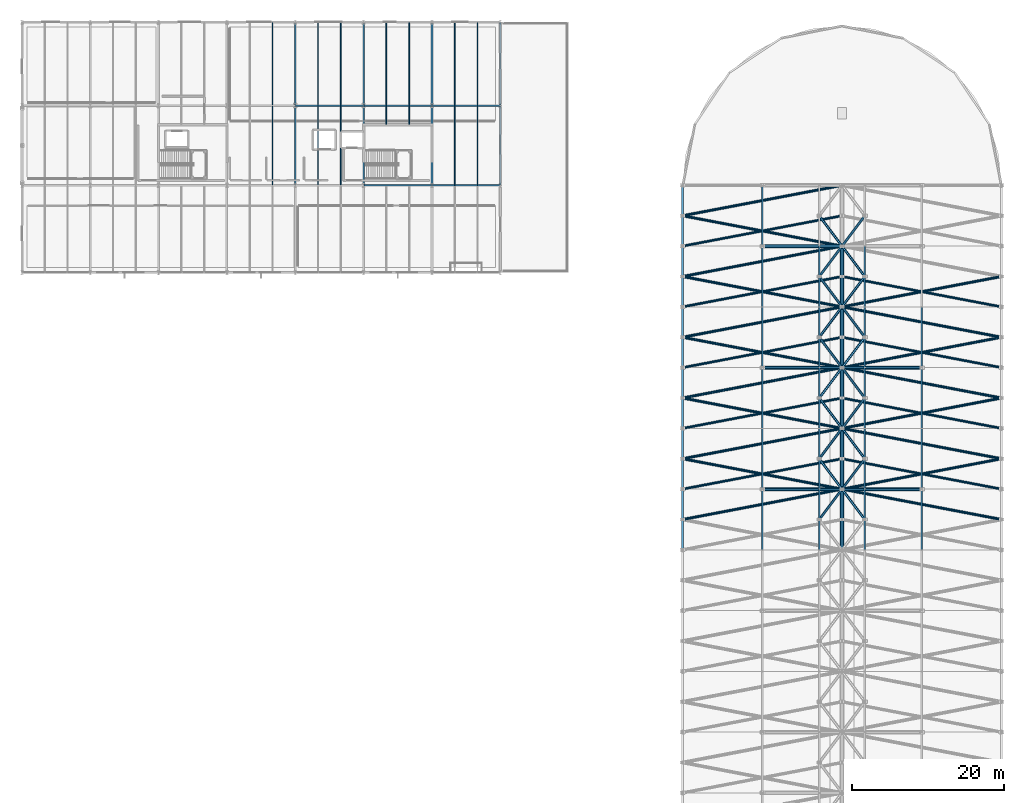
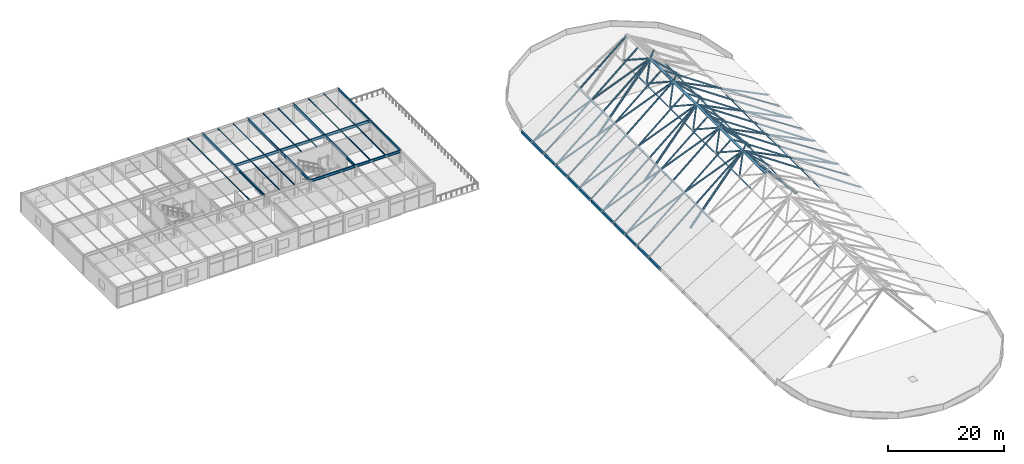
# One storey, part 13 of 44: 78 members, 33 beams.
"""IFC4 building model written with IfcOpenShell, lengths in metres."""

from ifc_helpers import new_model, si_unit, direction, frame, origin, origin_2d, place, context, subcontext, project, spatial, hollow_rectangle, hollow_circle, i_section, extrude, material, material_profile, profile_set, type_object, element, save


model = new_model("IFC4")

# Units and contexts
model_context = context("Model", 3, precision=1e-05, world=origin(), true_north=direction((0.0, 1.0)))
body_context = subcontext(model_context, "Body", "Model", "MODEL_VIEW")
ifc_project = project(units=[si_unit("LENGTHUNIT", "METRE"), si_unit("AREAUNIT", "SQUARE_METRE"), si_unit("VOLUMEUNIT", "CUBIC_METRE"), si_unit("PLANEANGLEUNIT", "RADIAN"), si_unit("MASSUNIT", "GRAM", prefix="KILO")], contexts=[model_context])

# Site, building, storey
site_placement = place(None, origin())
site = spatial("IfcSite", under=ifc_project, at=site_placement, CompositionType="ELEMENT")
building_placement = place(site_placement, origin())
building = spatial("IfcBuilding", under=site, at=building_placement, Name="Marlcrest Central Station", CompositionType="ELEMENT")
storey_placement = place(building_placement, frame((0.0, 0.0, 19.5)))
storey = spatial("IfcBuildingStorey", under=building, at=storey_placement, Name="L04", CompositionType="ELEMENT", Elevation=19.5)

# Beams
ifc_material_1 = material(Name="Steel S355", Category="steel")
ifc_material_profile_1 = material_profile(ifc_material_1, i_section(OverallWidth=0.2099609375, OverallDepth=0.550048828125, WebThickness=0.010986328125, FlangeThickness=0.01708984375, FilletRadius=0.02392578125, at=origin_2d()), Name="IPE 550")
ifc_profile_set_1 = profile_set([ifc_material_profile_1], Name="Steel S355")
beam_type_1 = type_object("IfcBeamType", Name="BM-06", PredefinedType="BEAM", material=ifc_profile_set_1)
for number, where, z_axis, x_axis, name in (
    (1, (45.050048828125, 110.5, 4.0), (1.0, 0.0, 0.0), (0.0, 1.0, 0.0), "bm-BM-06-L04-00587"),
    (2, (54.050048828125, 110.5, 4.0), (1.0, 0.0, 0.0), (0.0, 1.0, 0.0), "bm-BM-06-L04-00588"),
    (3, (36.050048828125, 121.0, 4.0), (1.0, 0.0, 0.0), (0.0, 1.0, 0.0), "bm-BM-06-L04-00593"),
    (4, (45.050048828125, 121.0, 4.0), (1.0, 0.0, 0.0), (0.0, 1.0, 0.0), "bm-BM-06-L04-00594"),
    (5, (54.050048828125, 121.0, 4.0), (1.0, 0.0, 0.0), (0.0, 1.0, 0.0), "bm-BM-06-L04-00595"),
):
    element("IfcBeam", number, at=place(storey_placement, frame(where, z_axis=z_axis, x_axis=x_axis)), inside=storey, type_object=beam_type_1, Name=name, PredefinedType="BEAM", context=body_context, shape_type="SweptSolid", body=[
        extrude(i_section(OverallWidth=0.2099609375, OverallDepth=0.550048828125, WebThickness=0.010986328125, FlangeThickness=0.01708984375, FilletRadius=0.02392578125, at=origin_2d()), origin(), (0.0, 0.0, 1.0), 8.89990234375),
    ])
beam_1_placement = place(storey_placement, frame((36.0, 110.550048828125, 4.0), z_axis=(0.0, 1.0, 0.0), x_axis=(-1.0, 0.0, 0.0)))
element("IfcBeam", 6, at=beam_1_placement, inside=storey, type_object=beam_type_1, Name="bm-BM-06-L04-00616", PredefinedType="BEAM", context=body_context, shape_type="SweptSolid", body=[
    extrude(i_section(OverallWidth=0.2099609375, OverallDepth=0.550048828125, WebThickness=0.010986328125, FlangeThickness=0.01708984375, FilletRadius=0.02392578125, at=origin_2d()), origin(), (0.0, 0.0, 1.0), 10.39990234375),
])
beam_2_placement = place(storey_placement, frame((36.0, 121.050048828125, 4.0), z_axis=(0.0, 1.0, 0.0), x_axis=(-1.0, 0.0, 0.0)))
element("IfcBeam", 7, at=beam_2_placement, inside=storey, type_object=beam_type_1, Name="bm-BM-06-L04-00617", PredefinedType="BEAM", context=body_context, shape_type="SweptSolid", body=[
    extrude(i_section(OverallWidth=0.2099609375, OverallDepth=0.550048828125, WebThickness=0.010986328125, FlangeThickness=0.01708984375, FilletRadius=0.02392578125, at=origin_2d()), origin(), (0.0, 0.0, 1.0), 10.89990234375),
])
beam_3_placement = place(storey_placement, frame((45.0, 110.550048828125, 4.0), z_axis=(0.0, 1.0, 0.0), x_axis=(-1.0, 0.0, 0.0)))
element("IfcBeam", 8, at=beam_3_placement, inside=storey, type_object=beam_type_1, Name="bm-BM-06-L04-00619", PredefinedType="BEAM", context=body_context, shape_type="SweptSolid", body=[
    extrude(i_section(OverallWidth=0.2099609375, OverallDepth=0.550048828125, WebThickness=0.010986328125, FlangeThickness=0.01708984375, FilletRadius=0.02392578125, at=origin_2d()), origin(), (0.0, 0.0, 1.0), 10.39990234375),
])
beam_4_placement = place(storey_placement, frame((45.0, 121.050048828125, 4.0), z_axis=(0.0, 1.0, 0.0), x_axis=(-1.0, 0.0, 0.0)))
element("IfcBeam", 9, at=beam_4_placement, inside=storey, type_object=beam_type_1, Name="bm-BM-06-L04-00620", PredefinedType="BEAM", context=body_context, shape_type="SweptSolid", body=[
    extrude(i_section(OverallWidth=0.2099609375, OverallDepth=0.550048828125, WebThickness=0.010986328125, FlangeThickness=0.01708984375, FilletRadius=0.02392578125, at=origin_2d()), origin(), (0.0, 0.0, 1.0), 10.89990234375),
])
beam_5_placement = place(storey_placement, frame((54.0, 110.550048828125, 4.0), z_axis=(0.0, 1.0, 0.0), x_axis=(-1.0, 0.0, 0.0)))
element("IfcBeam", 10, at=beam_5_placement, inside=storey, type_object=beam_type_1, Name="bm-BM-06-L04-00622", PredefinedType="BEAM", context=body_context, shape_type="SweptSolid", body=[
    extrude(i_section(OverallWidth=0.2099609375, OverallDepth=0.550048828125, WebThickness=0.010986328125, FlangeThickness=0.01708984375, FilletRadius=0.02392578125, at=origin_2d()), origin(), (0.0, 0.0, 1.0), 10.39990234375),
])
beam_6_placement = place(storey_placement, frame((54.0, 121.050048828125, 4.0), z_axis=(0.0, 1.0, 0.0), x_axis=(-1.0, 0.0, 0.0)))
element("IfcBeam", 11, at=beam_6_placement, inside=storey, type_object=beam_type_1, Name="bm-BM-06-L04-00623", PredefinedType="BEAM", context=body_context, shape_type="SweptSolid", body=[
    extrude(i_section(OverallWidth=0.2099609375, OverallDepth=0.550048828125, WebThickness=0.010986328125, FlangeThickness=0.01708984375, FilletRadius=0.02392578125, at=origin_2d()), origin(), (0.0, 0.0, 1.0), 10.89990234375),
])

# Members
ifc_material_2 = material(Name="White intumescent Steel S355", Category="steel")
ifc_material_profile_2 = material_profile(ifc_material_2, hollow_circle(Radius=0.177734375, WallThickness=0.01611328125, at=origin_2d()), Name="CHS 355.6x16")
ifc_profile_set_2 = profile_set([ifc_material_profile_2], Name="White intumescent Steel S355")
member_type_1 = type_object("IfcMemberType", Name="FB-01", PredefinedType="RAFTER", material=ifc_profile_set_2)
for number, where, z_axis, x_axis, name in (
    (12, (108.0, 70.5, 12.60009765625), (-0.846277296716, -0.161195675565, -0.507770313471), (0.18711210789, -0.982338566422, 0.0), "mem-FB-01-L04-02463"),
    (13, (108.0, 70.5, 12.60009765625), (0.846277296716, -0.161195675565, -0.507770313471), (0.18711210789, 0.982338566422, 0.0), "mem-FB-01-L04-02467"),
    (14, (108.0, 70.5, 12.60009765625), (-0.846277296716, 0.161195675565, -0.507770313471), (-0.18711210789, -0.982338566422, 0.0), "mem-FB-01-L04-02477"),
    (15, (108.0, 78.5, 12.60009765625), (-0.846277296716, -0.161195675565, -0.507770313471), (0.18711210789, -0.982338566422, 0.0), "mem-FB-01-L04-02478"),
    (16, (108.0, 70.5, 12.60009765625), (0.846277296716, 0.161195675565, -0.507770313471), (-0.18711210789, 0.982338566422, 0.0), "mem-FB-01-L04-02481"),
    (17, (108.0, 78.5, 12.60009765625), (0.846277296716, -0.161195675565, -0.507770313471), (0.18711210789, 0.982338566422, 0.0), "mem-FB-01-L04-02482"),
    (18, (108.0, 78.5, 12.60009765625), (-0.846277296716, 0.161195675565, -0.507770313471), (-0.18711210789, -0.982338566422, 0.0), "mem-FB-01-L04-02492"),
    (19, (108.0, 86.5, 12.60009765625), (-0.846277296716, -0.161195675565, -0.507770313471), (0.18711210789, -0.982338566422, 0.0), "mem-FB-01-L04-02493"),
    (20, (108.0, 78.5, 12.60009765625), (0.846277296716, 0.161195675565, -0.507770313471), (-0.18711210789, 0.982338566422, 0.0), "mem-FB-01-L04-02496"),
    (21, (108.0, 86.5, 12.60009765625), (0.846277296716, -0.161195675565, -0.507770313471), (0.18711210789, 0.982338566422, 0.0), "mem-FB-01-L04-02497"),
    (22, (108.0, 86.5, 12.60009765625), (-0.846277296716, 0.161195675565, -0.507770313471), (-0.18711210789, -0.982338566422, 0.0), "mem-FB-01-L04-02507"),
    (23, (108.0, 94.5, 12.60009765625), (-0.846277296716, -0.161195675565, -0.507770313471), (0.18711210789, -0.982338566422, 0.0), "mem-FB-01-L04-02508"),
    (24, (108.0, 86.5, 12.60009765625), (0.846277296716, 0.161195675565, -0.507770313471), (-0.18711210789, 0.982338566422, 0.0), "mem-FB-01-L04-02511"),
    (25, (108.0, 94.5, 12.60009765625), (0.846277296716, -0.161195675565, -0.507770313471), (0.18711210789, 0.982338566422, 0.0), "mem-FB-01-L04-02512"),
    (26, (108.0, 94.5, 12.60009765625), (-0.846277296716, 0.161195675565, -0.507770313471), (-0.18711210789, -0.982338566422, 0.0), "mem-FB-01-L04-02522"),
    (27, (108.0, 102.5, 12.60009765625), (-0.846277296716, -0.161195675565, -0.507770313471), (0.18711210789, -0.982338566422, 0.0), "mem-FB-01-L04-02523"),
    (28, (108.0, 94.5, 12.60009765625), (0.846277296716, 0.161195675565, -0.507770313471), (-0.18711210789, 0.982338566422, 0.0), "mem-FB-01-L04-02526"),
    (29, (108.0, 102.5, 12.60009765625), (-0.846277296716, 0.161195675565, -0.507770313471), (-0.18711210789, -0.982338566422, 0.0), "mem-FB-01-L04-02537"),
    (30, (108.0, 110.5, 12.60009765625), (-0.846277296716, -0.161195675565, -0.507770313471), (0.18711210789, -0.982338566422, 0.0), "mem-FB-01-L04-02538"),
):
    element("IfcMember", number, at=place(storey_placement, frame(where, z_axis=z_axis, x_axis=x_axis)), inside=storey, type_object=member_type_1, Name=name, PredefinedType="RAFTER", context=body_context, shape_type="SweptSolid", body=[
        extrude(hollow_circle(Radius=0.177734375, WallThickness=0.01611328125, at=origin_2d()), origin(), (0.0, 0.0, 1.0), 24.814453125),
    ])
ifc_material_profile_3 = material_profile(ifc_material_2, hollow_circle(Radius=0.161865234375, WallThickness=0.01611328125, at=origin_2d()), Name="CHS 323.9x16")
ifc_profile_set_3 = profile_set([ifc_material_profile_3], Name="White intumescent Steel S355")
member_type_2 = type_object("IfcMemberType", Name="FB-02", PredefinedType="RAFTER", material=ifc_profile_set_3)
for number, where, z_axis, x_axis, name in (
    (31, (108.0, 70.5, 12.60009765625), (-0.564530690126, -0.752707586834, -0.338727602401), (0.8, -0.6, 0.0), "mem-FB-02-L04-02458"),
    (32, (108.0, 70.5, 12.60009765625), (0.564530690126, -0.752707586834, -0.338727602401), (0.8, 0.6, 0.0), "mem-FB-02-L04-02461"),
    (33, (108.0, 70.5, 12.60009765625), (-0.564530690126, 0.752707586834, -0.338727602401), (-0.8, -0.6, 0.0), "mem-FB-02-L04-02472"),
    (34, (108.0, 78.5, 12.60009765625), (-0.564530690126, -0.752707586834, -0.338727602401), (0.8, -0.6, 0.0), "mem-FB-02-L04-02473"),
    (35, (108.0, 70.5, 12.60009765625), (0.564530690126, 0.752707586834, -0.338727602401), (-0.8, 0.6, 0.0), "mem-FB-02-L04-02475"),
    (36, (108.0, 78.5, 12.60009765625), (0.564530690126, -0.752707586834, -0.338727602401), (0.8, 0.6, 0.0), "mem-FB-02-L04-02476"),
):
    element("IfcMember", number, at=place(storey_placement, frame(where, z_axis=z_axis, x_axis=x_axis)), inside=storey, type_object=member_type_2, Name=name, PredefinedType="RAFTER", context=body_context, shape_type="SweptSolid", body=[
        extrude(hollow_circle(Radius=0.161865234375, WallThickness=0.01611328125, at=origin_2d()), origin(), (0.0, 0.0, 1.0), 5.314208984375),
    ])
for number, where, z_axis, x_axis, name in (
    (37, (108.0, 74.5, 12.60009765625), (-0.846277296716, -0.161195675565, -0.507770313471), (0.18711210789, -0.982338566422, 0.0), "mem-FB-02-L04-02479"),
    (38, (108.0, 74.5, 12.60009765625), (0.846277296716, -0.161195675565, -0.507770313471), (0.18711210789, 0.982338566422, 0.0), "mem-FB-02-L04-02483"),
):
    element("IfcMember", number, at=place(storey_placement, frame(where, z_axis=z_axis, x_axis=x_axis)), inside=storey, type_object=member_type_2, Name=name, PredefinedType="RAFTER", context=body_context, shape_type="SweptSolid", body=[
        extrude(hollow_circle(Radius=0.161865234375, WallThickness=0.01611328125, at=origin_2d()), origin(), (0.0, 0.0, 1.0), 24.814453125),
    ])
for number, where, z_axis, x_axis, name in (
    (39, (108.0, 78.5, 12.60009765625), (-0.564530690126, 0.752707586834, -0.338727602401), (-0.8, -0.6, 0.0), "mem-FB-02-L04-02487"),
    (40, (108.0, 86.5, 12.60009765625), (-0.564530690126, -0.752707586834, -0.338727602401), (0.8, -0.6, 0.0), "mem-FB-02-L04-02488"),
    (41, (108.0, 78.5, 12.60009765625), (0.564530690126, 0.752707586834, -0.338727602401), (-0.8, 0.6, 0.0), "mem-FB-02-L04-02490"),
    (42, (108.0, 86.5, 12.60009765625), (0.564530690126, -0.752707586834, -0.338727602401), (0.8, 0.6, 0.0), "mem-FB-02-L04-02491"),
):
    element("IfcMember", number, at=place(storey_placement, frame(where, z_axis=z_axis, x_axis=x_axis)), inside=storey, type_object=member_type_2, Name=name, PredefinedType="RAFTER", context=body_context, shape_type="SweptSolid", body=[
        extrude(hollow_circle(Radius=0.161865234375, WallThickness=0.01611328125, at=origin_2d()), origin(), (0.0, 0.0, 1.0), 5.314208984375),
    ])
for number, where, z_axis, x_axis, name in (
    (43, (108.0, 82.5, 12.60009765625), (-0.846277296716, -0.161195675565, -0.507770313471), (0.18711210789, -0.982338566422, 0.0), "mem-FB-02-L04-02494"),
    (44, (108.0, 82.5, 12.60009765625), (0.846277296716, -0.161195675565, -0.507770313471), (0.18711210789, 0.982338566422, 0.0), "mem-FB-02-L04-02498"),
):
    element("IfcMember", number, at=place(storey_placement, frame(where, z_axis=z_axis, x_axis=x_axis)), inside=storey, type_object=member_type_2, Name=name, PredefinedType="RAFTER", context=body_context, shape_type="SweptSolid", body=[
        extrude(hollow_circle(Radius=0.161865234375, WallThickness=0.01611328125, at=origin_2d()), origin(), (0.0, 0.0, 1.0), 24.814453125),
    ])
for number, where, z_axis, x_axis, name in (
    (45, (108.0, 86.5, 12.60009765625), (-0.564530690126, 0.752707586834, -0.338727602401), (-0.8, -0.6, 0.0), "mem-FB-02-L04-02502"),
    (46, (108.0, 94.5, 12.60009765625), (-0.564530690126, -0.752707586834, -0.338727602401), (0.8, -0.6, 0.0), "mem-FB-02-L04-02503"),
    (47, (108.0, 86.5, 12.60009765625), (0.564530690126, 0.752707586834, -0.338727602401), (-0.8, 0.6, 0.0), "mem-FB-02-L04-02505"),
    (48, (108.0, 94.5, 12.60009765625), (0.564530690126, -0.752707586834, -0.338727602401), (0.8, 0.6, 0.0), "mem-FB-02-L04-02506"),
):
    element("IfcMember", number, at=place(storey_placement, frame(where, z_axis=z_axis, x_axis=x_axis)), inside=storey, type_object=member_type_2, Name=name, PredefinedType="RAFTER", context=body_context, shape_type="SweptSolid", body=[
        extrude(hollow_circle(Radius=0.161865234375, WallThickness=0.01611328125, at=origin_2d()), origin(), (0.0, 0.0, 1.0), 5.314208984375),
    ])
for number, where, z_axis, x_axis, name in (
    (49, (108.0, 90.5, 12.60009765625), (-0.846277296716, -0.161195675565, -0.507770313471), (0.18711210789, -0.982338566422, 0.0), "mem-FB-02-L04-02509"),
    (50, (108.0, 90.5, 12.60009765625), (0.846277296716, -0.161195675565, -0.507770313471), (0.18711210789, 0.982338566422, 0.0), "mem-FB-02-L04-02513"),
):
    element("IfcMember", number, at=place(storey_placement, frame(where, z_axis=z_axis, x_axis=x_axis)), inside=storey, type_object=member_type_2, Name=name, PredefinedType="RAFTER", context=body_context, shape_type="SweptSolid", body=[
        extrude(hollow_circle(Radius=0.161865234375, WallThickness=0.01611328125, at=origin_2d()), origin(), (0.0, 0.0, 1.0), 24.814453125),
    ])
for number, where, z_axis, x_axis, name in (
    (51, (108.0, 94.5, 12.60009765625), (-0.564530690126, 0.752707586834, -0.338727602401), (-0.8, -0.6, 0.0), "mem-FB-02-L04-02517"),
    (52, (108.0, 102.5, 12.60009765625), (-0.564530690126, -0.752707586834, -0.338727602401), (0.8, -0.6, 0.0), "mem-FB-02-L04-02518"),
    (53, (108.0, 94.5, 12.60009765625), (0.564530690126, 0.752707586834, -0.338727602401), (-0.8, 0.6, 0.0), "mem-FB-02-L04-02520"),
    (54, (108.0, 102.5, 12.60009765625), (0.564530690126, -0.752707586834, -0.338727602401), (0.8, 0.6, 0.0), "mem-FB-02-L04-02521"),
):
    element("IfcMember", number, at=place(storey_placement, frame(where, z_axis=z_axis, x_axis=x_axis)), inside=storey, type_object=member_type_2, Name=name, PredefinedType="RAFTER", context=body_context, shape_type="SweptSolid", body=[
        extrude(hollow_circle(Radius=0.161865234375, WallThickness=0.01611328125, at=origin_2d()), origin(), (0.0, 0.0, 1.0), 5.314208984375),
    ])
for number, where, z_axis, x_axis, name in (
    (55, (108.0, 98.5, 12.60009765625), (-0.846277296716, -0.161195675565, -0.507770313471), (0.18711210789, -0.982338566422, 0.0), "mem-FB-02-L04-02524"),
    (56, (108.0, 98.5, 12.60009765625), (0.846277296716, -0.161195675565, -0.507770313471), (0.18711210789, 0.982338566422, 0.0), "mem-FB-02-L04-02528"),
):
    element("IfcMember", number, at=place(storey_placement, frame(where, z_axis=z_axis, x_axis=x_axis)), inside=storey, type_object=member_type_2, Name=name, PredefinedType="RAFTER", context=body_context, shape_type="SweptSolid", body=[
        extrude(hollow_circle(Radius=0.161865234375, WallThickness=0.01611328125, at=origin_2d()), origin(), (0.0, 0.0, 1.0), 24.814453125),
    ])
for number, where, z_axis, x_axis, name in (
    (57, (108.0, 102.5, 12.60009765625), (-0.564530690126, 0.752707586834, -0.338727602401), (-0.8, -0.6, 0.0), "mem-FB-02-L04-02532"),
    (58, (108.0, 102.5, 12.60009765625), (0.564530690126, 0.752707586834, -0.338727602401), (-0.8, 0.6, 0.0), "mem-FB-02-L04-02535"),
):
    element("IfcMember", number, at=place(storey_placement, frame(where, z_axis=z_axis, x_axis=x_axis)), inside=storey, type_object=member_type_2, Name=name, PredefinedType="RAFTER", context=body_context, shape_type="SweptSolid", body=[
        extrude(hollow_circle(Radius=0.161865234375, WallThickness=0.01611328125, at=origin_2d()), origin(), (0.0, 0.0, 1.0), 5.314208984375),
    ])
member_placement = place(storey_placement, frame((108.0, 106.5, 12.60009765625), z_axis=(-0.846277296716, -0.161195675565, -0.507770313471), x_axis=(0.18711210789, -0.982338566422, 0.0)))
element("IfcMember", 59, at=member_placement, inside=storey, type_object=member_type_2, Name="mem-FB-02-L04-02539", PredefinedType="RAFTER", context=body_context, shape_type="SweptSolid", body=[
    extrude(hollow_circle(Radius=0.161865234375, WallThickness=0.01611328125, at=origin_2d()), origin(), (0.0, 0.0, 1.0), 24.814453125),
])

# Beams
ifc_material_profile_4 = material_profile(ifc_material_1, i_section(OverallWidth=0.110107421875, OverallDepth=0.219970703125, WebThickness=0.005859375, FlangeThickness=0.00927734375, FilletRadius=0.011962890625, at=origin_2d()), Name="IPE 220")
ifc_profile_set_4 = profile_set([ifc_material_profile_4], Name="Steel S355")
beam_type_2 = type_object("IfcBeamType", Name="JS-02", PredefinedType="JOIST", material=ifc_profile_set_4)
beam_7_placement = place(storey_placement, frame((33.0, 110.594970703125, 4.1650390625), z_axis=(0.0, 1.0, 0.0), x_axis=(-1.0, 0.0, 0.0)))
element("IfcBeam", 60, at=beam_7_placement, inside=storey, type_object=beam_type_2, Name="bm-JS-02-L04-00649", PredefinedType="JOIST", context=body_context, shape_type="SweptSolid", body=[
    extrude(i_section(OverallWidth=0.110107421875, OverallDepth=0.219970703125, WebThickness=0.005859375, FlangeThickness=0.00927734375, FilletRadius=0.011962890625, at=origin_2d()), origin(), (0.0, 0.0, 1.0), 10.31005859375),
])
beam_8_placement = place(storey_placement, frame((33.0, 121.094970703125, 4.1650390625), z_axis=(0.0, 1.0, 0.0), x_axis=(-1.0, 0.0, 0.0)))
element("IfcBeam", 61, at=beam_8_placement, inside=storey, type_object=beam_type_2, Name="bm-JS-02-L04-00650", PredefinedType="JOIST", context=body_context, shape_type="SweptSolid", body=[
    extrude(i_section(OverallWidth=0.110107421875, OverallDepth=0.219970703125, WebThickness=0.005859375, FlangeThickness=0.00927734375, FilletRadius=0.011962890625, at=origin_2d()), origin(), (0.0, 0.0, 1.0), 10.81005859375),
])
beam_9_placement = place(storey_placement, frame((39.0, 110.594970703125, 4.1650390625), z_axis=(0.0, 1.0, 0.0), x_axis=(-1.0, 0.0, 0.0)))
element("IfcBeam", 62, at=beam_9_placement, inside=storey, type_object=beam_type_2, Name="bm-JS-02-L04-00652", PredefinedType="JOIST", context=body_context, shape_type="SweptSolid", body=[
    extrude(i_section(OverallWidth=0.110107421875, OverallDepth=0.219970703125, WebThickness=0.005859375, FlangeThickness=0.00927734375, FilletRadius=0.011962890625, at=origin_2d()), origin(), (0.0, 0.0, 1.0), 10.31005859375),
])
beam_10_placement = place(storey_placement, frame((39.0, 121.094970703125, 4.1650390625), z_axis=(0.0, 1.0, 0.0), x_axis=(-1.0, 0.0, 0.0)))
element("IfcBeam", 63, at=beam_10_placement, inside=storey, type_object=beam_type_2, Name="bm-JS-02-L04-00653", PredefinedType="JOIST", context=body_context, shape_type="SweptSolid", body=[
    extrude(i_section(OverallWidth=0.110107421875, OverallDepth=0.219970703125, WebThickness=0.005859375, FlangeThickness=0.00927734375, FilletRadius=0.011962890625, at=origin_2d()), origin(), (0.0, 0.0, 1.0), 10.81005859375),
])
beam_11_placement = place(storey_placement, frame((42.0, 110.594970703125, 4.1650390625), z_axis=(0.0, 1.0, 0.0), x_axis=(-1.0, 0.0, 0.0)))
element("IfcBeam", 64, at=beam_11_placement, inside=storey, type_object=beam_type_2, Name="bm-JS-02-L04-00655", PredefinedType="JOIST", context=body_context, shape_type="SweptSolid", body=[
    extrude(i_section(OverallWidth=0.110107421875, OverallDepth=0.219970703125, WebThickness=0.005859375, FlangeThickness=0.00927734375, FilletRadius=0.011962890625, at=origin_2d()), origin(), (0.0, 0.0, 1.0), 10.31005859375),
])
beam_12_placement = place(storey_placement, frame((42.0, 121.094970703125, 4.1650390625), z_axis=(0.0, 1.0, 0.0), x_axis=(-1.0, 0.0, 0.0)))
element("IfcBeam", 65, at=beam_12_placement, inside=storey, type_object=beam_type_2, Name="bm-JS-02-L04-00656", PredefinedType="JOIST", context=body_context, shape_type="SweptSolid", body=[
    extrude(i_section(OverallWidth=0.110107421875, OverallDepth=0.219970703125, WebThickness=0.005859375, FlangeThickness=0.00927734375, FilletRadius=0.011962890625, at=origin_2d()), origin(), (0.0, 0.0, 1.0), 10.81005859375),
])
beam_13_placement = place(storey_placement, frame((48.0, 118.52001953125, 4.1650390625), z_axis=(0.0, 1.0, 0.0), x_axis=(-1.0, 0.0, 0.0)))
element("IfcBeam", 66, at=beam_13_placement, inside=storey, type_object=beam_type_2, Name="bm-JS-02-L04-00658", PredefinedType="JOIST", context=body_context, shape_type="SweptSolid", body=[
    extrude(i_section(OverallWidth=0.110107421875, OverallDepth=0.219970703125, WebThickness=0.005859375, FlangeThickness=0.00927734375, FilletRadius=0.011962890625, at=origin_2d()), origin(), (0.0, 0.0, 1.0), 2.385009765625),
])
beam_14_placement = place(storey_placement, frame((48.0, 121.094970703125, 4.1650390625), z_axis=(0.0, 1.0, 0.0), x_axis=(-1.0, 0.0, 0.0)))
element("IfcBeam", 67, at=beam_14_placement, inside=storey, type_object=beam_type_2, Name="bm-JS-02-L04-00659", PredefinedType="JOIST", context=body_context, shape_type="SweptSolid", body=[
    extrude(i_section(OverallWidth=0.110107421875, OverallDepth=0.219970703125, WebThickness=0.005859375, FlangeThickness=0.00927734375, FilletRadius=0.011962890625, at=origin_2d()), origin(), (0.0, 0.0, 1.0), 10.81005859375),
])
beam_15_placement = place(storey_placement, frame((51.0, 118.52001953125, 4.1650390625), z_axis=(0.0, 1.0, 0.0), x_axis=(-1.0, 0.0, 0.0)))
element("IfcBeam", 68, at=beam_15_placement, inside=storey, type_object=beam_type_2, Name="bm-JS-02-L04-00661", PredefinedType="JOIST", context=body_context, shape_type="SweptSolid", body=[
    extrude(i_section(OverallWidth=0.110107421875, OverallDepth=0.219970703125, WebThickness=0.005859375, FlangeThickness=0.00927734375, FilletRadius=0.011962890625, at=origin_2d()), origin(), (0.0, 0.0, 1.0), 2.385009765625),
])
beam_16_placement = place(storey_placement, frame((51.0, 121.094970703125, 4.1650390625), z_axis=(0.0, 1.0, 0.0), x_axis=(-1.0, 0.0, 0.0)))
element("IfcBeam", 69, at=beam_16_placement, inside=storey, type_object=beam_type_2, Name="bm-JS-02-L04-00662", PredefinedType="JOIST", context=body_context, shape_type="SweptSolid", body=[
    extrude(i_section(OverallWidth=0.110107421875, OverallDepth=0.219970703125, WebThickness=0.005859375, FlangeThickness=0.00927734375, FilletRadius=0.011962890625, at=origin_2d()), origin(), (0.0, 0.0, 1.0), 10.81005859375),
])
beam_17_placement = place(storey_placement, frame((57.0, 110.594970703125, 4.1650390625), z_axis=(0.0, 1.0, 0.0), x_axis=(-1.0, 0.0, 0.0)))
element("IfcBeam", 70, at=beam_17_placement, inside=storey, type_object=beam_type_2, Name="bm-JS-02-L04-00664", PredefinedType="JOIST", context=body_context, shape_type="SweptSolid", body=[
    extrude(i_section(OverallWidth=0.110107421875, OverallDepth=0.219970703125, WebThickness=0.005859375, FlangeThickness=0.00927734375, FilletRadius=0.011962890625, at=origin_2d()), origin(), (0.0, 0.0, 1.0), 10.31005859375),
])
beam_18_placement = place(storey_placement, frame((57.0, 121.094970703125, 4.1650390625), z_axis=(0.0, 1.0, 0.0), x_axis=(-1.0, 0.0, 0.0)))
element("IfcBeam", 71, at=beam_18_placement, inside=storey, type_object=beam_type_2, Name="bm-JS-02-L04-00665", PredefinedType="JOIST", context=body_context, shape_type="SweptSolid", body=[
    extrude(i_section(OverallWidth=0.110107421875, OverallDepth=0.219970703125, WebThickness=0.005859375, FlangeThickness=0.00927734375, FilletRadius=0.011962890625, at=origin_2d()), origin(), (0.0, 0.0, 1.0), 10.81005859375),
])
beam_19_placement = place(storey_placement, frame((60.0, 110.594970703125, 4.1650390625), z_axis=(0.0, 1.0, 0.0), x_axis=(-1.0, 0.0, 0.0)))
element("IfcBeam", 72, at=beam_19_placement, inside=storey, type_object=beam_type_2, Name="bm-JS-02-L04-00667", PredefinedType="JOIST", context=body_context, shape_type="SweptSolid", body=[
    extrude(i_section(OverallWidth=0.110107421875, OverallDepth=0.219970703125, WebThickness=0.005859375, FlangeThickness=0.00927734375, FilletRadius=0.011962890625, at=origin_2d()), origin(), (0.0, 0.0, 1.0), 10.31005859375),
])
beam_20_placement = place(storey_placement, frame((60.0, 121.094970703125, 4.1650390625), z_axis=(0.0, 1.0, 0.0), x_axis=(-1.0, 0.0, 0.0)))
element("IfcBeam", 73, at=beam_20_placement, inside=storey, type_object=beam_type_2, Name="bm-JS-02-L04-00668", PredefinedType="JOIST", context=body_context, shape_type="SweptSolid", body=[
    extrude(i_section(OverallWidth=0.110107421875, OverallDepth=0.219970703125, WebThickness=0.005859375, FlangeThickness=0.00927734375, FilletRadius=0.011962890625, at=origin_2d()), origin(), (0.0, 0.0, 1.0), 10.81005859375),
])

# Members
ifc_material_profile_5 = material_profile(ifc_material_2, hollow_rectangle(XDim=0.179931640625, YDim=0.179931640625, WallThickness=0.010009765625, at=origin_2d()), Name="SHS 180x180x10")
ifc_profile_set_5 = profile_set([ifc_material_profile_5], Name="White intumescent Steel S355")
member_type_3 = type_object("IfcMemberType", Name="PR-03", PredefinedType="PURLIN", material=ifc_profile_set_5)
for number, where, z_axis, x_axis, name in (
    (74, (105.0, 62.5, 10.449951171875), (0.0, 1.0, 0.0), (-1.0, 0.0, 0.0), "mem-PR-03-L04-02456"),
    (75, (111.0, 62.5, 10.449951171875), (0.0, 1.0, 0.0), (-1.0, 0.0, 0.0), "mem-PR-03-L04-02459"),
    (76, (97.5, 62.5, 6.080078125), (0.0, 1.0, 0.0), (-1.0, 0.0, 0.0), "mem-PR-03-L04-02465"),
    (77, (118.5, 62.5, 6.080078125), (0.0, 1.0, 0.0), (-1.0, 0.0, 0.0), "mem-PR-03-L04-02469"),
    (78, (105.0, 70.5, 10.449951171875), (0.0, 1.0, 0.0), (-1.0, 0.0, 0.0), "mem-PR-03-L04-02471"),
    (79, (111.0, 70.5, 10.449951171875), (0.0, 1.0, 0.0), (-1.0, 0.0, 0.0), "mem-PR-03-L04-02474"),
    (80, (97.5, 70.5, 6.080078125), (0.0, 1.0, 0.0), (-1.0, 0.0, 0.0), "mem-PR-03-L04-02480"),
    (81, (118.5, 70.5, 6.080078125), (0.0, 1.0, 0.0), (-1.0, 0.0, 0.0), "mem-PR-03-L04-02484"),
    (82, (105.0, 78.5, 10.449951171875), (0.0, 1.0, 0.0), (-1.0, 0.0, 0.0), "mem-PR-03-L04-02486"),
    (83, (111.0, 78.5, 10.449951171875), (0.0, 1.0, 0.0), (-1.0, 0.0, 0.0), "mem-PR-03-L04-02489"),
    (84, (97.5, 78.5, 6.080078125), (0.0, 1.0, 0.0), (-1.0, 0.0, 0.0), "mem-PR-03-L04-02495"),
    (85, (118.5, 78.5, 6.080078125), (0.0, 1.0, 0.0), (-1.0, 0.0, 0.0), "mem-PR-03-L04-02499"),
    (86, (105.0, 86.5, 10.449951171875), (0.0, 1.0, 0.0), (-1.0, 0.0, 0.0), "mem-PR-03-L04-02501"),
    (87, (111.0, 86.5, 10.449951171875), (0.0, 1.0, 0.0), (-1.0, 0.0, 0.0), "mem-PR-03-L04-02504"),
    (88, (97.5, 86.5, 6.080078125), (0.0, 1.0, 0.0), (-1.0, 0.0, 0.0), "mem-PR-03-L04-02510"),
    (89, (118.5, 86.5, 6.080078125), (0.0, 1.0, 0.0), (-1.0, 0.0, 0.0), "mem-PR-03-L04-02514"),
    (90, (105.0, 94.5, 10.449951171875), (0.0, 1.0, 0.0), (-1.0, 0.0, 0.0), "mem-PR-03-L04-02516"),
    (91, (111.0, 94.5, 10.449951171875), (0.0, 1.0, 0.0), (-1.0, 0.0, 0.0), "mem-PR-03-L04-02519"),
    (92, (97.5, 94.5, 6.080078125), (0.0, 1.0, 0.0), (-1.0, 0.0, 0.0), "mem-PR-03-L04-02525"),
    (93, (97.5, 102.5, 6.080078125), (0.0, 1.0, 0.0), (-1.0, 0.0, 0.0), "mem-PR-03-L04-02540"),
):
    element("IfcMember", number, at=place(storey_placement, frame(where, z_axis=z_axis, x_axis=x_axis)), inside=storey, type_object=member_type_3, Name=name, PredefinedType="PURLIN", context=body_context, shape_type="SweptSolid", body=[
        extrude(hollow_rectangle(XDim=0.179931640625, YDim=0.179931640625, WallThickness=0.010009765625, at=origin_2d()), origin(), (0.0, 0.0, 1.0), 8.0),
    ])
ifc_material_profile_6 = material_profile(ifc_material_2, hollow_circle(Radius=0.25390625, WallThickness=0.02490234375, at=origin_2d()), Name="CHS 508x25")
ifc_profile_set_6 = profile_set([ifc_material_profile_6], Name="White intumescent Steel S355")
member_type_4 = type_object("IfcMemberType", Name="SC-SP", PredefinedType="CHORD", material=ifc_profile_set_6)
for number, where, z_axis, x_axis, name in (
    (94, (108.0, 62.5, 12.60009765625), (0.0, 1.0, 0.0), (-1.0, 0.0, 0.0), "mem-SC-SP-L04-02455"),
    (95, (108.0, 70.5, 12.60009765625), (0.0, 1.0, 0.0), (-1.0, 0.0, 0.0), "mem-SC-SP-L04-02470"),
    (96, (108.0, 78.5, 12.60009765625), (0.0, 1.0, 0.0), (-1.0, 0.0, 0.0), "mem-SC-SP-L04-02485"),
    (97, (108.0, 86.5, 12.60009765625), (0.0, 1.0, 0.0), (-1.0, 0.0, 0.0), "mem-SC-SP-L04-02500"),
    (98, (108.0, 94.5, 12.60009765625), (0.0, 1.0, 0.0), (-1.0, 0.0, 0.0), "mem-SC-SP-L04-02515"),
):
    element("IfcMember", number, at=place(storey_placement, frame(where, z_axis=z_axis, x_axis=x_axis)), inside=storey, type_object=member_type_4, Name=name, PredefinedType="CHORD", context=body_context, shape_type="SweptSolid", body=[
        extrude(hollow_circle(Radius=0.25390625, WallThickness=0.02490234375, at=origin_2d()), origin(), (0.0, 0.0, 1.0), 8.0),
    ])

# Beams
ifc_material_profile_7 = material_profile(ifc_material_1, hollow_rectangle(XDim=0.199951171875, YDim=0.39990234375, WallThickness=0.01611328125, at=origin_2d()), Name="RHS 400x200x16")
ifc_profile_set_7 = profile_set([ifc_material_profile_7], Name="Steel S355")
beam_type_3 = type_object("IfcBeamType", Name="SP-01", PredefinedType="SPANDREL", material=ifc_profile_set_7)
beam_21_placement = place(storey_placement, frame((63.0, 110.550048828125, 4.074951171875), z_axis=(0.0, 1.0, 0.0), x_axis=(-1.0, 0.0, 0.0)))
element("IfcBeam", 99, at=beam_21_placement, inside=storey, type_object=beam_type_3, Name="bm-SP-01-L04-00625", PredefinedType="SPANDREL", context=body_context, shape_type="SweptSolid", body=[
    extrude(hollow_rectangle(XDim=0.199951171875, YDim=0.39990234375, WallThickness=0.01611328125, at=origin_2d()), origin(), (0.0, 0.0, 1.0), 10.39990234375),
])
beam_22_placement = place(storey_placement, frame((63.0, 121.050048828125, 4.074951171875), z_axis=(0.0, 1.0, 0.0), x_axis=(-1.0, 0.0, 0.0)))
element("IfcBeam", 100, at=beam_22_placement, inside=storey, type_object=beam_type_3, Name="bm-SP-01-L04-00626", PredefinedType="SPANDREL", context=body_context, shape_type="SweptSolid", body=[
    extrude(hollow_rectangle(XDim=0.199951171875, YDim=0.39990234375, WallThickness=0.01611328125, at=origin_2d()), origin(), (0.0, 0.0, 1.0), 10.89990234375),
])
ifc_material_profile_8 = material_profile(ifc_material_1, hollow_rectangle(XDim=0.300048828125, YDim=0.5, WallThickness=0.02001953125, at=origin_2d()), Name="RHS 500x300x20")
ifc_profile_set_8 = profile_set([ifc_material_profile_8], Name="Steel S355")
beam_type_4 = type_object("IfcBeamType", Name="SP-03", PredefinedType="SPANDREL", material=ifc_profile_set_8)
for number, where, z_axis, x_axis, name in (
    (101, (87.0, 62.699951171875, -0.25), (0.0, 1.0, 0.0), (-1.0, 0.0, 0.0), "bm-SP-03-L04-01275"),
    (102, (87.0, 70.699951171875, -0.25), (0.0, 1.0, 0.0), (-1.0, 0.0, 0.0), "bm-SP-03-L04-01279"),
    (103, (87.0, 78.699951171875, -0.25), (0.0, 1.0, 0.0), (-1.0, 0.0, 0.0), "bm-SP-03-L04-01289"),
    (104, (87.0, 86.699951171875, -0.25), (0.0, 1.0, 0.0), (-1.0, 0.0, 0.0), "bm-SP-03-L04-01293"),
    (105, (87.0, 94.699951171875, -0.25), (0.0, 1.0, 0.0), (-1.0, 0.0, 0.0), "bm-SP-03-L04-01299"),
    (106, (87.0, 102.699951171875, -0.25), (0.0, 1.0, 0.0), (-1.0, 0.0, 0.0), "bm-SP-03-L04-01309"),
):
    element("IfcBeam", number, at=place(storey_placement, frame(where, z_axis=z_axis, x_axis=x_axis)), inside=storey, type_object=beam_type_4, Name=name, PredefinedType="SPANDREL", context=body_context, shape_type="SweptSolid", body=[
        extrude(hollow_rectangle(XDim=0.300048828125, YDim=0.5, WallThickness=0.02001953125, at=origin_2d()), origin(), (0.0, 0.0, 1.0), 7.60009765625),
    ])

# Members
ifc_material_profile_9 = material_profile(ifc_material_2, hollow_circle(Radius=0.228515625, WallThickness=0.02001953125, at=origin_2d()), Name="CHS 457x20")
ifc_profile_set_9 = profile_set([ifc_material_profile_9], Name="White intumescent Steel S355")
member_type_5 = type_object("IfcMemberType", Name="ST-01", PredefinedType="STRUT", material=ifc_profile_set_9)
for number, where, z_axis, x_axis, name in (
    (107, (97.5, 70.5, 0.0), (0.640181471429, 0.0, 0.768223719784), (0.0, 1.0, 0.0), "mem-ST-01-L04-02372"),
    (108, (118.5, 70.5, 0.0), (-0.640181471429, 0.0, 0.768223719784), (0.0, -1.0, 0.0), "mem-ST-01-L04-02373"),
    (109, (97.5, 86.5, 0.0), (0.640181471429, 0.0, 0.768223719784), (0.0, 1.0, 0.0), "mem-ST-01-L04-02374"),
    (110, (118.5, 86.5, 0.0), (-0.640181471429, 0.0, 0.768223719784), (0.0, -1.0, 0.0), "mem-ST-01-L04-02375"),
    (111, (97.5, 102.5, 0.0), (0.640181471429, 0.0, 0.768223719784), (0.0, 1.0, 0.0), "mem-ST-01-L04-02376"),
):
    element("IfcMember", number, at=place(storey_placement, frame(where, z_axis=z_axis, x_axis=x_axis)), inside=storey, type_object=member_type_5, Name=name, PredefinedType="STRUT", context=body_context, shape_type="SweptSolid", body=[
        extrude(hollow_circle(Radius=0.228515625, WallThickness=0.02001953125, at=origin_2d()), origin(), (0.0, 0.0, 1.0), 16.401611328125),
    ])

save(model, "model.ifc")
